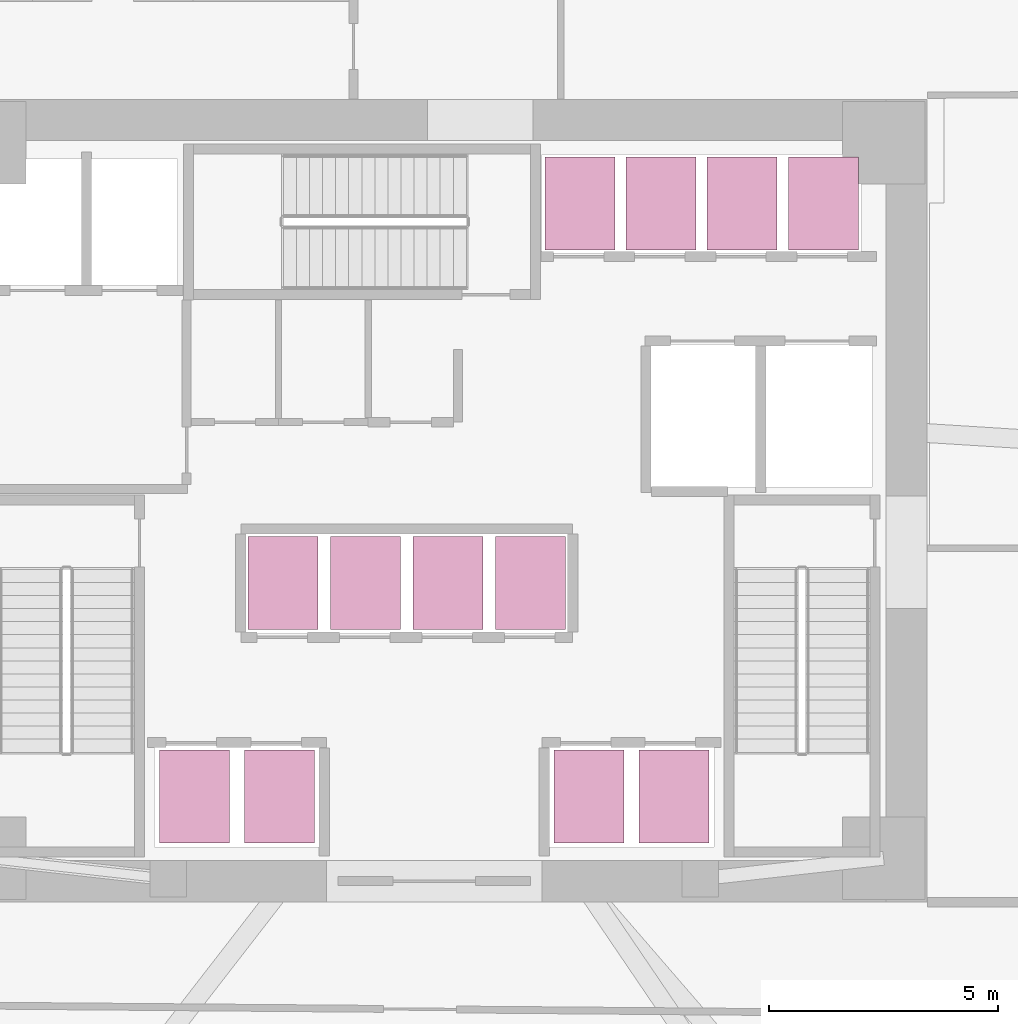
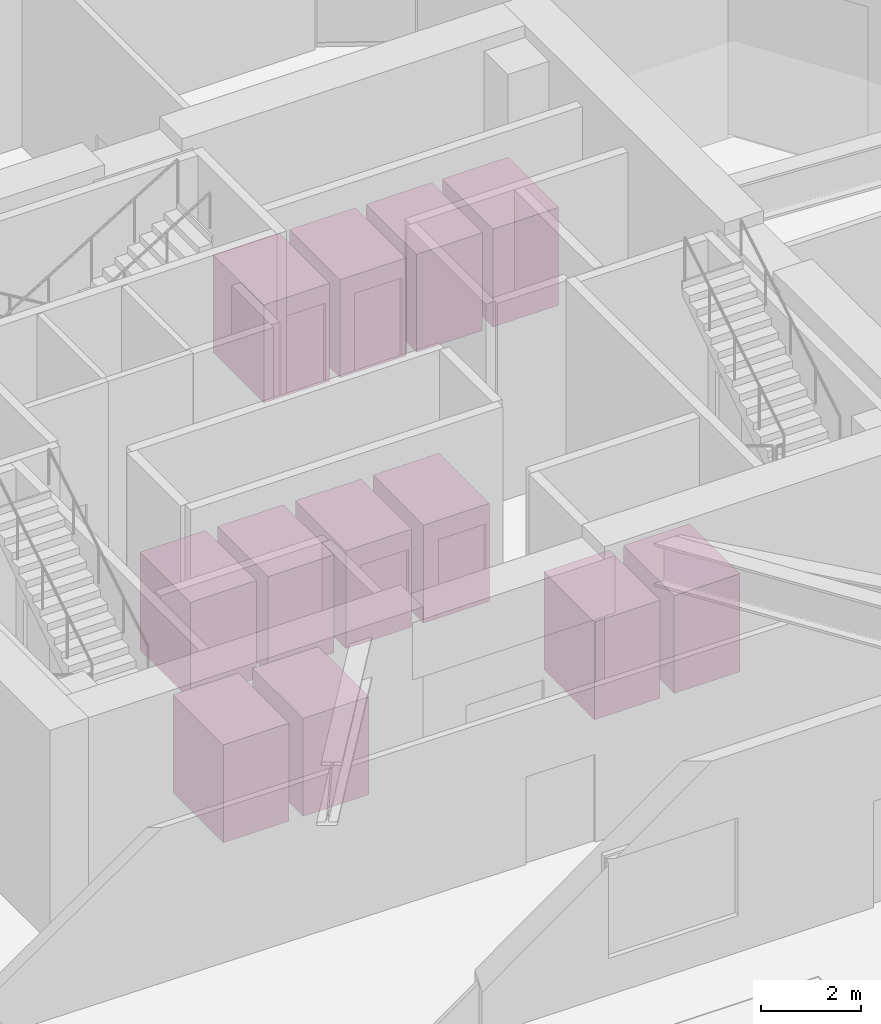
# One storey, part 18 of 18: 12 transport elements.
"""IFC4 building model written with IfcOpenShell, lengths in metres."""

from ifc_helpers import new_model, si_unit, direction, frame, origin, origin_2d, place, context, subcontext, project, spatial, rectangle, extrude, material, type_object, element, save


model = new_model("IFC4")

# Units and contexts
model_context = context("Model", 3, precision=1e-05, world=origin(), true_north=direction((0.0, 1.0)))
body_context = subcontext(model_context, "Body", "Model", "MODEL_VIEW")
ifc_project = project(units=[si_unit("LENGTHUNIT", "METRE"), si_unit("AREAUNIT", "SQUARE_METRE"), si_unit("VOLUMEUNIT", "CUBIC_METRE"), si_unit("PLANEANGLEUNIT", "RADIAN"), si_unit("MASSUNIT", "GRAM", prefix="KILO")], contexts=[model_context])

# Site, building, storey
site_placement = place(None, origin())
site = spatial("IfcSite", under=ifc_project, at=site_placement, CompositionType="ELEMENT")
building_placement = place(site_placement, origin())
building = spatial("IfcBuilding", under=site, at=building_placement, Name="Durnholm Broadcast Tower", CompositionType="ELEMENT")
storey_placement = place(building_placement, origin())
storey = spatial("IfcBuildingStorey", under=building, at=storey_placement, Name="L00", CompositionType="ELEMENT", Elevation=0.0)

# Transport elements
ifc_material = material(Name="Stainless Steel Elevator Cab", Category="steel")
transport_element_type = type_object("IfcTransportElementType", Name="LIFT-PAX-2030", PredefinedType="ELEVATOR", material=ifc_material)
for number, where, z_axis, x_axis, name in (
    (1, (-5.22509765625, -6.449951171875, 0.0), (0.0, 0.0, 1.0), (0.0, 1.0, 0.0), "Elevator LP1-1 cab"),
    (2, (-3.375, -6.449951171875, 0.0), (0.0, 0.0, 1.0), (0.0, 1.0, 0.0), "Elevator LP1-2 cab"),
    (3, (3.375, -6.449951171875, 0.0), (0.0, 0.0, 1.0), (0.0, 1.0, 0.0), "Elevator LP1-3 cab"),
    (4, (5.22509765625, -6.449951171875, 0.0), (0.0, 0.0, 1.0), (0.0, 1.0, 0.0), "Elevator LP1-4 cab"),
    (5, (-3.300048828125, -1.800048828125, 0.0), (0.0, 0.0, 1.0), (0.0, 1.0, 0.0), "Elevator LP2-1 cab"),
    (6, (-1.5, -1.800048828125, 0.0), (0.0, 0.0, 1.0), (0.0, 1.0, 0.0), "Elevator LP2-2 cab"),
    (7, (0.300048828125, -1.800048828125, 0.0), (0.0, 0.0, 1.0), (0.0, 1.0, 0.0), "Elevator LP2-3 cab"),
    (8, (2.10009765625, -1.800048828125, 0.0), (0.0, 0.0, 1.0), (0.0, 1.0, 0.0), "Elevator LP2-4 cab"),
    (9, (3.175048828125, 6.47509765625, 0.0), (0.0, 0.0, 1.0), (0.0, 1.0, 0.0), "Elevator LP3-1 cab"),
    (10, (4.945068359375, 6.47509765625, 0.0), (0.0, 0.0, 1.0), (0.0, 1.0, 0.0), "Elevator LP3-2 cab"),
    (11, (6.715087890625, 6.47509765625, 0.0), (0.0, 0.0, 1.0), (0.0, 1.0, 0.0), "Elevator LP3-3 cab"),
    (12, (8.485107421875, 6.47509765625, 0.0), (0.0, 0.0, 1.0), (0.0, 1.0, 0.0), "Elevator LP3-4 cab"),
):
    element("IfcTransportElement", number, at=place(storey_placement, frame(where, z_axis=z_axis, x_axis=x_axis)), inside=storey, type_object=transport_element_type, Name=name, PredefinedType="ELEVATOR", context=body_context, shape_type="SweptSolid", body=[
        extrude(rectangle(XDim=2.030029296875, YDim=1.52490234375, at=origin_2d()), origin(), (0.0, 0.0, 1.0), 2.39990234375),
    ])

save(model, "model.ifc")
